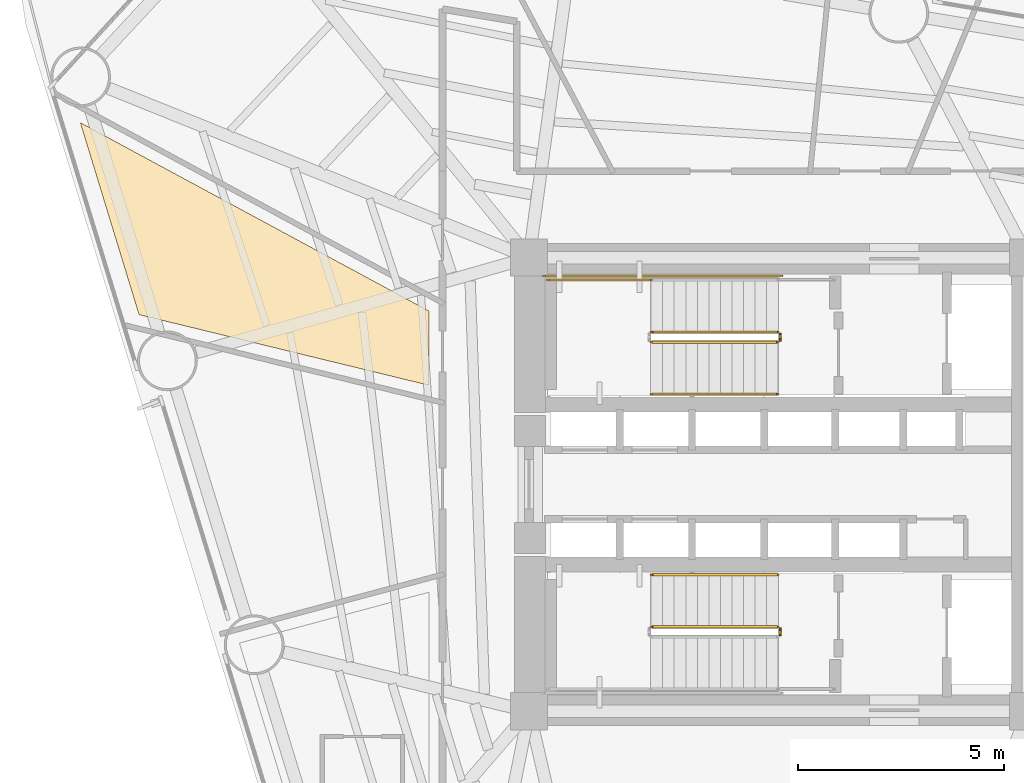
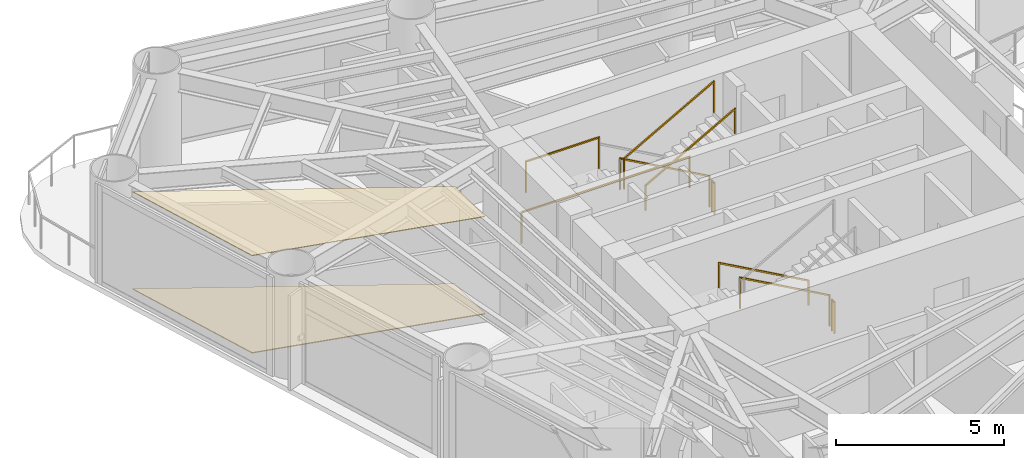
# One storey, part 9 of 10: 9 railings, 2 coverings.
"""IFC4 building model written with IfcOpenShell, lengths in metres."""

from ifc_helpers import new_model, si_unit, direction, frame, origin, origin_2d, place, context, subcontext, project, spatial, polyline, rectangle, outline, extrude, material, layer, layer_set, type_object, element, save


model = new_model("IFC4")

# Units and contexts
model_context = context("Model", 3, precision=1e-05, world=origin(), true_north=direction((0.0, 1.0)))
body_context = subcontext(model_context, "Body", "Model", "MODEL_VIEW")
ifc_project = project(units=[si_unit("LENGTHUNIT", "METRE"), si_unit("AREAUNIT", "SQUARE_METRE"), si_unit("VOLUMEUNIT", "CUBIC_METRE"), si_unit("PLANEANGLEUNIT", "RADIAN"), si_unit("MASSUNIT", "GRAM", prefix="KILO")], contexts=[model_context])

# Site, building, storey
site_placement = place(None, origin())
site = spatial("IfcSite", under=ifc_project, at=site_placement, CompositionType="ELEMENT")
building_placement = place(site_placement, origin())
building = spatial("IfcBuilding", under=site, at=building_placement, Name="Yunling Apex Tower", CompositionType="ELEMENT")
storey_placement = place(building_placement, frame((0.0, 0.0, 112.39990234375)))
storey = spatial("IfcBuildingStorey", under=building, at=storey_placement, Name="L28", CompositionType="ELEMENT", Elevation=112.39990234375)

# Coverings
ifc_material_1 = material(Name="Acoustic mineral fibre ceiling")
ifc_layer_1 = layer(ifc_material_1, 0.02490234375)
ifc_layer_set_1 = layer_set([ifc_layer_1], Name="Acoustic mineral fibre ceiling")
covering_type_1 = type_object("IfcCoveringType", Name="CV-CLG-1", PredefinedType="CEILING", material=ifc_layer_set_1)
covering_1_placement = place(storey_placement, frame((0.0, 0.0, 3.5400390625)))
element("IfcCovering", 1, at=covering_1_placement, inside=storey, type_object=covering_type_1, Name="CV-CL-SP-L28-R10", PredefinedType="CEILING", context=body_context, shape_type="SweptSolid", body=[
    extrude(outline(polyline([(-15.510009765625, 4.118408203125), (-16.933837890625, 8.775146484375), (-8.47998046875, 4.20703125), (-8.47998046875, 2.405517578125), (-15.510009765625, 4.118408203125)])), origin(), (0.0, 0.0, 1.0), 0.025146484375),
])
ifc_material_2 = material(Name="Polished granite stone", Category="masonry")
ifc_layer_2 = layer(ifc_material_2, 0.030029296875)
ifc_layer_set_2 = layer_set([ifc_layer_2], Name="Polished granite stone")
covering_type_2 = type_object("IfcCoveringType", Name="CV-FLR-1", PredefinedType="FLOORING", material=ifc_layer_set_2)
covering_2_placement = place(storey_placement, origin())
element("IfcCovering", 2, at=covering_2_placement, inside=storey, type_object=covering_type_2, Name="CV-FL-SP-L28-R10", PredefinedType="FLOORING", context=body_context, shape_type="SweptSolid", body=[
    extrude(outline(polyline([(-15.510009765625, 4.118408203125), (-16.933837890625, 8.775146484375), (-8.47998046875, 4.20703125), (-8.47998046875, 2.405517578125), (-15.510009765625, 4.118408203125)])), origin(), (0.0, 0.0, 1.0), 0.030029296875),
])

# Railings
ifc_material_3 = material(Name="Steel Q355B", Category="steel")
railing_type_1 = type_object("IfcRailingType", Name="RL-GRD-1150", PredefinedType="GUARDRAIL", material=ifc_material_3)
railing_1_placement = place(storey_placement, frame((-0.010009765625, 3.699951171875, 0.15625)))
element("IfcRailing", 3, at=railing_1_placement, inside=storey, type_object=railing_type_1, Name="L28 ST-1 stair guard 1", PredefinedType="GUARDRAIL", context=body_context, shape_type="SweptSolid", body=[
    extrude(rectangle(XDim=0.0439453125, YDim=0.0439453125, at=origin_2d()), origin(), (0.0, 0.0, 1.0), 1.14990234375),
    extrude(rectangle(XDim=0.0439453125, YDim=0.0439453125, at=origin_2d()), frame((-3.080078125, 0.0, 1.71875)), (0.0, 0.0, 1.0), 1.14990234375),
    extrude(rectangle(XDim=0.050048828125, YDim=0.050048828125, at=origin_2d()), frame((-0.033447265625, 0.0, 1.1435546875), z_axis=(-0.873241540666, 0.0, 0.487287606713), x_axis=(0.0, -1.0, 0.0)), (0.0, 0.0, 1.0), 3.450439453125),
])
railing_2_placement = place(storey_placement, frame((-3.090087890625, 4.9599609375, 1.875)))
element("IfcRailing", 4, at=railing_2_placement, inside=storey, type_object=railing_type_1, Name="L28 ST-1 stair guard 3", PredefinedType="GUARDRAIL", context=body_context, shape_type="SweptSolid", body=[
    extrude(rectangle(XDim=0.0439453125, YDim=0.0439453125, at=origin_2d()), origin(), (0.0, 0.0, 1.0), 1.14990234375),
    extrude(rectangle(XDim=0.0439453125, YDim=0.0439453125, at=origin_2d()), frame((-2.510009765625, 0.0, 0.0)), (0.0, 0.0, 1.0), 1.14990234375),
    extrude(rectangle(XDim=0.050048828125, YDim=0.050048828125, at=origin_2d()), frame((-0.038330078125, 0.0, 1.125), z_axis=(-1.0, 0.0, 0.0), x_axis=(0.0, -1.0, 0.0)), (0.0, 0.0, 1.0), 2.433349609375),
])
railing_3_placement = place(storey_placement, frame((-3.090087890625, 3.449951171875, 2.03125)))
element("IfcRailing", 5, at=railing_3_placement, inside=storey, type_object=railing_type_1, Name="L28 ST-1 stair guard 4", PredefinedType="GUARDRAIL", context=body_context, shape_type="SweptSolid", body=[
    extrude(rectangle(XDim=0.0439453125, YDim=0.0439453125, at=origin_2d()), origin(), (0.0, 0.0, 1.0), 1.14990234375),
    extrude(rectangle(XDim=0.0439453125, YDim=0.0439453125, at=origin_2d()), frame((3.080078125, 0.0, 1.71875)), (0.0, 0.0, 1.0), 1.14990234375),
    extrude(rectangle(XDim=0.050048828125, YDim=0.050048828125, at=origin_2d()), frame((0.033447265625, 0.0, 1.1435546875), z_axis=(0.873241540666, 0.0, 0.487287606713), x_axis=(0.0, 1.0, 0.0)), (0.0, 0.0, 1.0), 3.450439453125),
])
railing_4_placement = place(storey_placement, frame((0.0400390625, 3.64990234375, 0.0)))
element("IfcRailing", 6, at=railing_4_placement, inside=storey, type_object=railing_type_1, Name="L28 ST-1 stair guard 5", PredefinedType="GUARDRAIL", context=body_context, shape_type="SweptSolid", body=[
    extrude(rectangle(XDim=0.0439453125, YDim=0.0439453125, at=origin_2d()), origin(), (0.0, 0.0, 1.0), 1.14990234375),
    extrude(rectangle(XDim=0.0439453125, YDim=0.0439453125, at=origin_2d()), frame((0.0, -0.14990234375, 0.0)), (0.0, 0.0, 1.0), 1.14990234375),
    extrude(rectangle(XDim=0.050048828125, YDim=0.050048828125, at=origin_2d()), frame((0.0, -0.038330078125, 1.125), z_axis=(0.0, -1.0, 0.0), x_axis=(1.0, 0.0, 0.0)), (0.0, 0.0, 1.0), 0.0732421875),
])
railing_5_placement = place(storey_placement, frame((0.090087890625, 5.06005859375, 0.0)))
element("IfcRailing", 7, at=railing_5_placement, inside=storey, type_object=railing_type_1, Name="L28 ST-1 stair guard 7", PredefinedType="GUARDRAIL", context=body_context, shape_type="SweptSolid", body=[
    extrude(rectangle(XDim=0.0439453125, YDim=0.0439453125, at=origin_2d()), origin(), (0.0, 0.0, 1.0), 1.14990234375),
    extrude(rectangle(XDim=0.0439453125, YDim=0.0439453125, at=origin_2d()), frame((-5.7900390625, 0.0, 0.0)), (0.0, 0.0, 1.0), 1.14990234375),
    extrude(rectangle(XDim=0.050048828125, YDim=0.050048828125, at=origin_2d()), frame((-0.038330078125, 0.0, 1.125), z_axis=(-1.0, 0.0, 0.0), x_axis=(0.0, -1.0, 0.0)), (0.0, 0.0, 1.0), 5.71337890625),
])
railing_6_placement = place(storey_placement, frame((-0.010009765625, -3.449951171875, 0.15625)))
element("IfcRailing", 8, at=railing_6_placement, inside=storey, type_object=railing_type_1, Name="L28 ST-2 stair guard 1", PredefinedType="GUARDRAIL", context=body_context, shape_type="SweptSolid", body=[
    extrude(rectangle(XDim=0.0439453125, YDim=0.0439453125, at=origin_2d()), origin(), (0.0, 0.0, 1.0), 1.14990234375),
    extrude(rectangle(XDim=0.0439453125, YDim=0.0439453125, at=origin_2d()), frame((-3.080078125, 0.0, 1.71875)), (0.0, 0.0, 1.0), 1.14990234375),
    extrude(rectangle(XDim=0.050048828125, YDim=0.050048828125, at=origin_2d()), frame((-0.033447265625, 0.0, 1.1435546875), z_axis=(-0.873241540666, 0.0, 0.487287606713), x_axis=(0.0, -1.0, 0.0)), (0.0, 0.0, 1.0), 3.450439453125),
])
railing_7_placement = place(storey_placement, frame((0.0400390625, -3.5, 0.0)))
element("IfcRailing", 9, at=railing_7_placement, inside=storey, type_object=railing_type_1, Name="L28 ST-2 stair guard 5", PredefinedType="GUARDRAIL", context=body_context, shape_type="SweptSolid", body=[
    extrude(rectangle(XDim=0.0439453125, YDim=0.0439453125, at=origin_2d()), origin(), (0.0, 0.0, 1.0), 1.14990234375),
    extrude(rectangle(XDim=0.0439453125, YDim=0.0439453125, at=origin_2d()), frame((0.0, -0.14990234375, 0.0)), (0.0, 0.0, 1.0), 1.14990234375),
    extrude(rectangle(XDim=0.050048828125, YDim=0.050048828125, at=origin_2d()), frame((0.0, -0.038330078125, 1.125), z_axis=(0.0, -1.0, 0.0), x_axis=(1.0, 0.0, 0.0)), (0.0, 0.0, 1.0), 0.0732421875),
])
ifc_material_4 = material(Name="Silver anodised aluminium", Category="aluminium")
railing_type_2 = type_object("IfcRailingType", Name="RL-HND-900", PredefinedType="HANDRAIL", material=ifc_material_4)
railing_8_placement = place(storey_placement, frame((-3.090087890625, 2.18994140625, 2.03125)))
element("IfcRailing", 10, at=railing_8_placement, inside=storey, type_object=railing_type_2, Name="L28 ST-1 stair handrail 2", PredefinedType="HANDRAIL", context=body_context, shape_type="SweptSolid", body=[
    extrude(rectangle(XDim=0.0439453125, YDim=0.0439453125, at=origin_2d()), origin(), (0.0, 0.0, 1.0), 0.919921875),
    extrude(rectangle(XDim=0.0439453125, YDim=0.0439453125, at=origin_2d()), frame((3.080078125, 0.0, 1.71875)), (0.0, 0.0, 1.0), 0.919921875),
    extrude(rectangle(XDim=0.050048828125, YDim=0.050048828125, at=origin_2d()), frame((0.033447265625, 0.0, 0.91357421875), z_axis=(0.873241540666, 0.0, 0.487287606713), x_axis=(0.0, 1.0, 0.0)), (0.0, 0.0, 1.0), 3.450439453125),
])
railing_9_placement = place(storey_placement, frame((-0.010009765625, -2.18994140625, 0.15625)))
element("IfcRailing", 11, at=railing_9_placement, inside=storey, type_object=railing_type_2, Name="L28 ST-2 stair handrail 1", PredefinedType="HANDRAIL", context=body_context, shape_type="SweptSolid", body=[
    extrude(rectangle(XDim=0.0439453125, YDim=0.0439453125, at=origin_2d()), origin(), (0.0, 0.0, 1.0), 0.919921875),
    extrude(rectangle(XDim=0.0439453125, YDim=0.0439453125, at=origin_2d()), frame((-3.080078125, 0.0, 1.71875)), (0.0, 0.0, 1.0), 0.919921875),
    extrude(rectangle(XDim=0.050048828125, YDim=0.050048828125, at=origin_2d()), frame((-0.033447265625, 0.0, 0.91357421875), z_axis=(-0.873241540666, 0.0, 0.487287606713), x_axis=(0.0, -1.0, 0.0)), (0.0, 0.0, 1.0), 3.450439453125),
])

save(model, "model.ifc")
